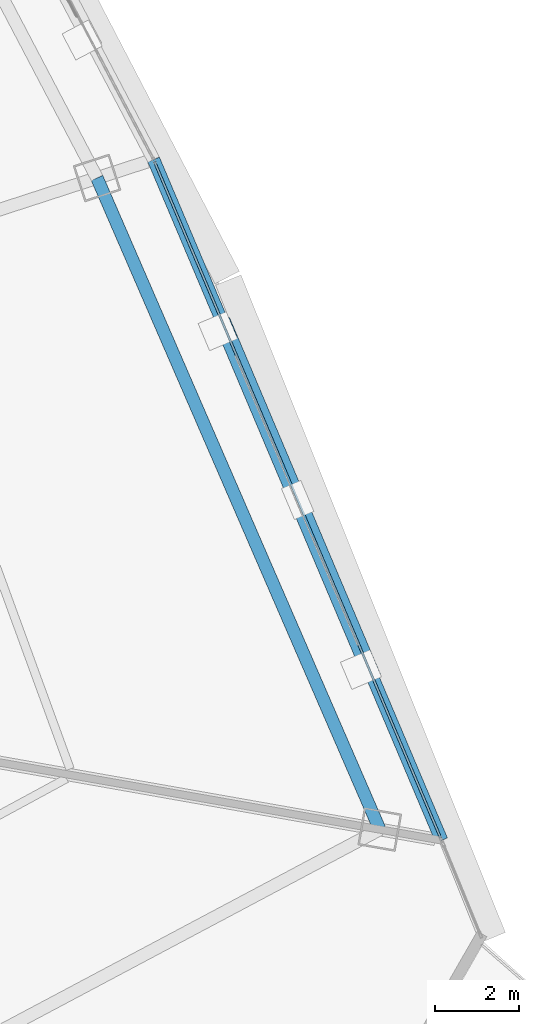
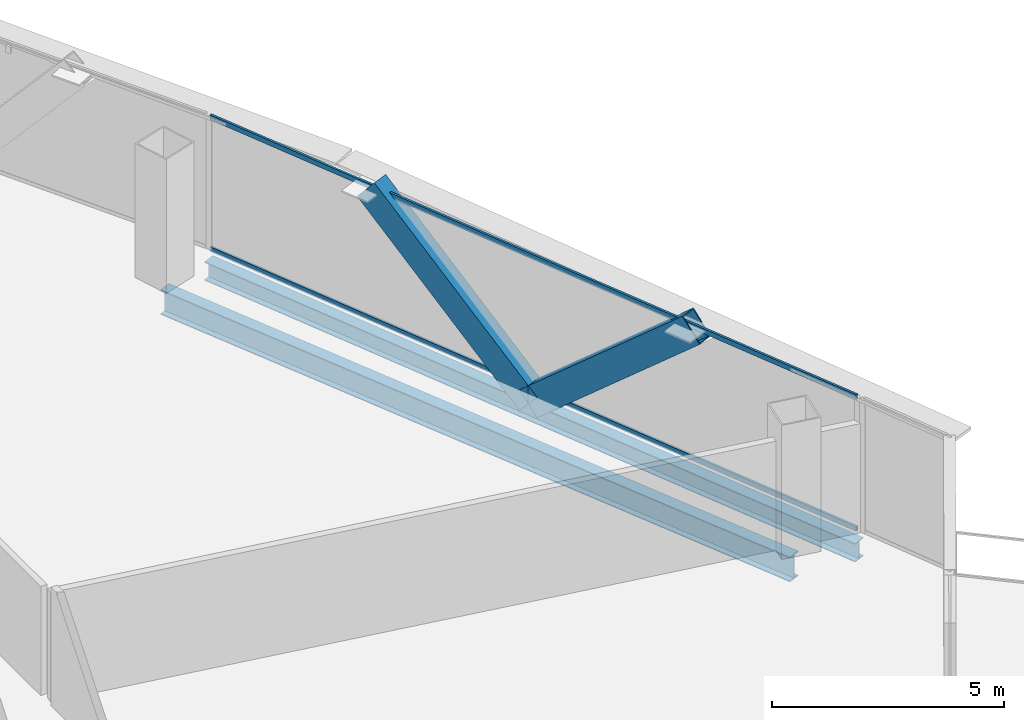
# One storey, part 24 of 36: 4 members, 2 beams, 1 element without a shape of its own.
"""IFC4 building model written with IfcOpenShell, lengths in metres."""

from ifc_helpers import new_model, si_unit, direction, frame, origin, origin_2d, place, context, subcontext, project, spatial, hollow_rectangle, i_section, extrude, source, transform, mapped, material, layer, layer_set, material_profile, profile_set, type_object, element, aggregate, save


model = new_model("IFC4")

# Units and contexts
model_context = context("Model", 3, precision=1e-05, world=origin(), true_north=direction((0.0, 1.0)))
body_context = subcontext(model_context, "Body", "Model", "MODEL_VIEW")
ifc_project = project(units=[si_unit("LENGTHUNIT", "METRE"), si_unit("AREAUNIT", "SQUARE_METRE"), si_unit("VOLUMEUNIT", "CUBIC_METRE"), si_unit("PLANEANGLEUNIT", "RADIAN"), si_unit("MASSUNIT", "GRAM", prefix="KILO"), si_unit("THERMODYNAMICTEMPERATUREUNIT", "KELVIN"), si_unit("POWERUNIT", "WATT")], contexts=[model_context])

# Site, building, storey
site_placement = place(None, origin())
site = spatial("IfcSite", under=ifc_project, at=site_placement, CompositionType="ELEMENT")
building_placement = place(site_placement, origin())
building = spatial("IfcBuilding", under=site, at=building_placement, Name="Yunzhuo Pagoda Commons", CompositionType="ELEMENT")
storey_placement = place(building_placement, frame((0.0, 0.0, 215.159912109375)))
storey = spatial("IfcBuildingStorey", under=building, at=storey_placement, Name="L54", CompositionType="ELEMENT", Elevation=215.159912109375)

# Beams
ifc_material_1 = material(Name="Structural steel Q355B", Category="steel")
ifc_material_profile_1 = material_profile(ifc_material_1, i_section(OverallWidth=0.300048828125, OverallDepth=0.64990234375, WebThickness=0.012939453125, FlangeThickness=0.02197265625, at=origin_2d()), Name="Structural steel Q355B")
ifc_profile_set_1 = profile_set([ifc_material_profile_1], Name="Structural steel Q355B")
beam_type_1 = type_object("IfcBeamType", Name="B-RG2 Beam HN 650x300x13x22", PredefinedType="BEAM", material=ifc_profile_set_1)
shared_shape_1 = source(origin(), body_context, "Body", "SweptSolid", [
    extrude(i_section(OverallWidth=0.300048828125, OverallDepth=0.64990234375, WebThickness=0.012939453125, FlangeThickness=0.02197265625, at=origin_2d()), origin(), (0.0, 0.0, 1.0), 16.859619140625),
])
beam_1_placement = place(storey_placement, frame((83.20654296875, 27.492431640625, -0.5849609375), z_axis=(-0.398104384161, 0.917340121935, 0.0), x_axis=(-0.917340121935, -0.398104384161, 0.0)))
element("IfcBeam", 1, at=beam_1_placement, inside=storey, type_object=beam_type_1, Name="L54 column-ring beam 5", PredefinedType="BEAM", context=body_context, shape_type="MappedRepresentation", body=[
    mapped(shared_shape_1, transform((0.0, 0.0, 0.0), scale=1.0)),
])
ifc_material_profile_2 = material_profile(ifc_material_1, i_section(OverallWidth=0.300048828125, OverallDepth=0.488037109375, WebThickness=0.010986328125, FlangeThickness=0.01806640625, at=origin_2d()), Name="Structural steel Q355B")
ifc_profile_set_2 = profile_set([ifc_material_profile_2], Name="Structural steel Q355B")
beam_type_2 = type_object("IfcBeamType", Name="B-SP1 Beam HM 488x300x11x18", PredefinedType="BEAM", material=ifc_profile_set_2)
shared_shape_2 = source(origin(), body_context, "Body", "SweptSolid", [
    extrude(i_section(OverallWidth=0.300048828125, OverallDepth=0.488037109375, WebThickness=0.010986328125, FlangeThickness=0.01806640625, at=origin_2d()), origin(), (0.0, 0.0, 1.0), 17.548828125),
])
beam_2_placement = place(storey_placement, frame((84.67529296875, 27.233154296875, -0.50390625), z_axis=(-0.389608221454, 0.920980691315, 0.0), x_axis=(-0.920980691315, -0.389608221454, 0.0)))
element("IfcBeam", 2, at=beam_2_placement, inside=storey, type_object=beam_type_2, Name="L54 facade edge spandrel beam F2.1", PredefinedType="BEAM", context=body_context, shape_type="MappedRepresentation", body=[
    mapped(shared_shape_2, transform((0.0, 0.0, 0.0), scale=1.0)),
])

# Members
ifc_material_profile_3 = material_profile(ifc_material_1, hollow_rectangle(XDim=0.39990234375, YDim=0.719970703125, WallThickness=0.02392578125, at=origin_2d()), Name="Structural steel Q355B")
ifc_profile_set_3 = profile_set([ifc_material_profile_3], Name="Structural steel Q355B")
member_type_1 = type_object("IfcMemberType", Name="M-DL2 Brace BOX 720x400x24", PredefinedType="BRACE", material=ifc_profile_set_3)
shared_shape_3 = source(origin(), body_context, "Body", "SweptSolid", [
    extrude(hollow_rectangle(XDim=0.39990234375, YDim=0.719970703125, WallThickness=0.02392578125, at=origin_2d()), origin(), (0.0, 0.0, 1.0), 5.791259765625),
])
member_1_placement = place(storey_placement, frame((81.256591796875, 35.314208984375, -0.260009765625), z_axis=(0.295228374911, -0.697705212735, 0.652723251286), x_axis=(0.920945745211, 0.389690818955, 0.0)))
element("IfcMember", 3, at=member_1_placement, inside=storey, type_object=member_type_1, Name="L54 facade diamond brace F2.1L", PredefinedType="BRACE", context=body_context, shape_type="MappedRepresentation", body=[
    mapped(shared_shape_3, transform((0.0, 0.0, 0.0), scale=1.0)),
])
shared_shape_4 = source(origin(), body_context, "Body", "SweptSolid", [
    extrude(hollow_rectangle(XDim=0.39990234375, YDim=0.719970703125, WallThickness=0.02392578125, at=origin_2d()), origin(), (0.0, 0.0, 1.0), 5.790771484375),
])
member_2_placement = place(storey_placement, frame((81.256591796875, 35.314208984375, -0.260009765625), z_axis=(-0.295121600554, 0.697709623938, 0.652766820197), x_axis=(-0.920997204464, -0.389569184316, 0.0)))
element("IfcMember", 4, at=member_2_placement, inside=storey, type_object=member_type_1, Name="L54 facade diamond brace F2.1R", PredefinedType="BRACE", context=body_context, shape_type="MappedRepresentation", body=[
    mapped(shared_shape_4, transform((0.0, 0.0, 0.0), scale=1.0)),
])

# Curtain wall, members
ifc_material_2 = material(Name="Anodized aluminium 6063-T6", Category="aluminium")
ifc_layer = layer(ifc_material_2, 0.14990234375)
ifc_layer_set = layer_set([ifc_layer], Name="Anodized aluminium 6063-T6")
curtain_wall_type = type_object("IfcCurtainWallType", Name="CW-MID Mid-Zone Ribbon Curtain Wall", PredefinedType="NOTDEFINED", material=ifc_layer_set)
curtain_wall_placement = place(storey_placement, origin())
curtain_wall = element("IfcCurtainWall", 5, at=curtain_wall_placement, inside=storey, type_object=curtain_wall_type, Name="L54 curtain wall CW-L54-F2B2", PredefinedType="NOTDEFINED")
ifc_material_profile_4 = material_profile(ifc_material_2, hollow_rectangle(XDim=0.054931640625, YDim=0.1298828125, WallThickness=0.00341796875, at=origin_2d()), Name="Anodized aluminium 6063-T6")
ifc_profile_set_4 = profile_set([ifc_material_profile_4], Name="Anodized aluminium 6063-T6")
member_type_2 = type_object("IfcMemberType", Name="CW-MID-T Transom RHS 130x55x3.5", PredefinedType="USERDEFINED", material=ifc_profile_set_4)
shared_shape_5 = source(origin(), body_context, "Body", "SweptSolid", [
    extrude(hollow_rectangle(XDim=0.054931640625, YDim=0.1298828125, WallThickness=0.00341796875, at=origin_2d()), origin(), (0.0, 0.0, 1.0), 17.428466796875),
])
member_3_placement = place(storey_placement, frame((84.652099609375, 27.28857421875, 0.027587890625), z_axis=(-0.389620797746, 0.920975370986, 0.0), x_axis=(-0.920975370986, -0.389620797746, 0.0)))
member_3 = element("IfcMember", 6, at=member_3_placement, type_object=member_type_2, Name="CW transom 1.1", ObjectType="TRANSOM", PredefinedType="USERDEFINED", context=body_context, shape_type="MappedRepresentation", body=[
    mapped(shared_shape_5, transform((0.0, 0.0, 0.0), scale=1.0)),
])
member_4_placement = place(storey_placement, frame((84.652099609375, 27.28857421875, 3.49267578125), z_axis=(-0.389620797746, 0.920975370986, 0.0), x_axis=(-0.920975370986, -0.389620797746, 0.0)))
member_4 = element("IfcMember", 7, at=member_4_placement, type_object=member_type_2, Name="CW transom 1.2", ObjectType="TRANSOM", PredefinedType="USERDEFINED", context=body_context, shape_type="MappedRepresentation", body=[
    mapped(shared_shape_5, transform((0.0, 0.0, 0.0), scale=1.0)),
])
aggregate(curtain_wall, [member_3, member_4])

save(model, "model.ifc")
